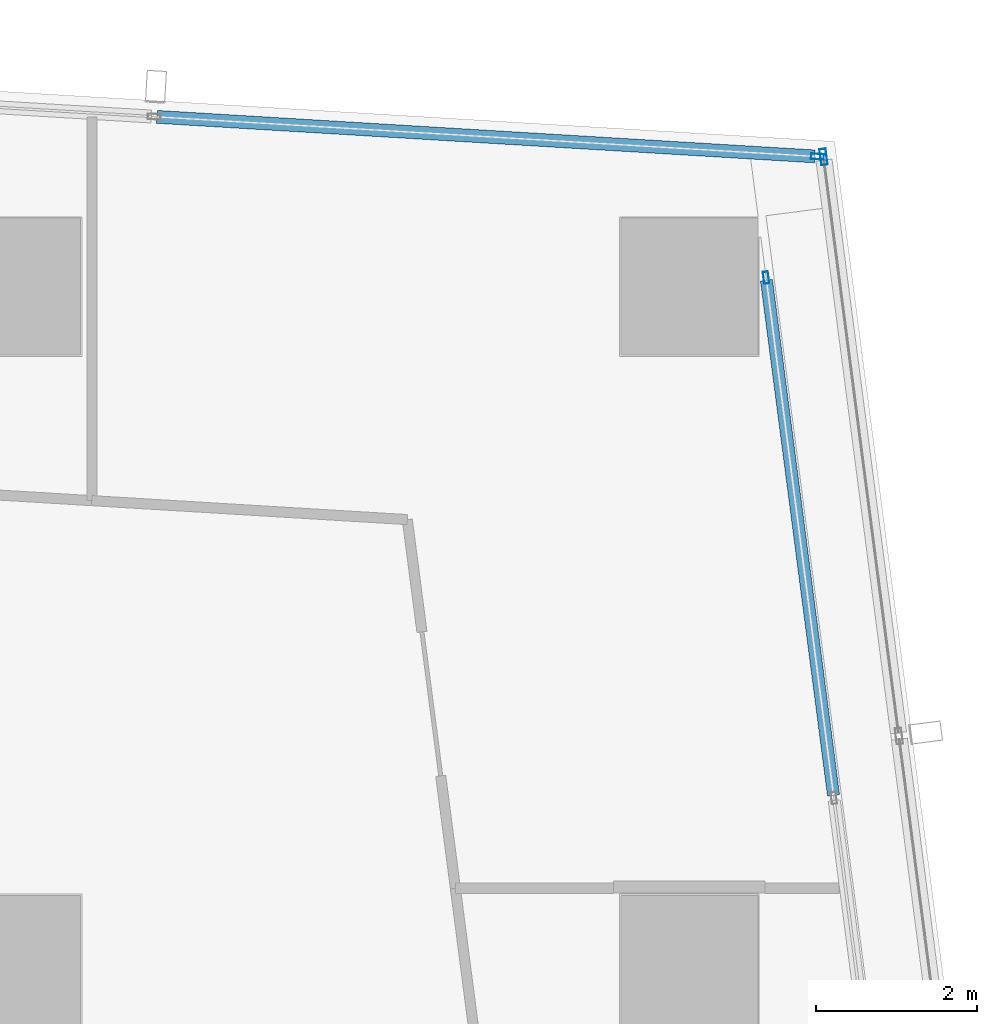
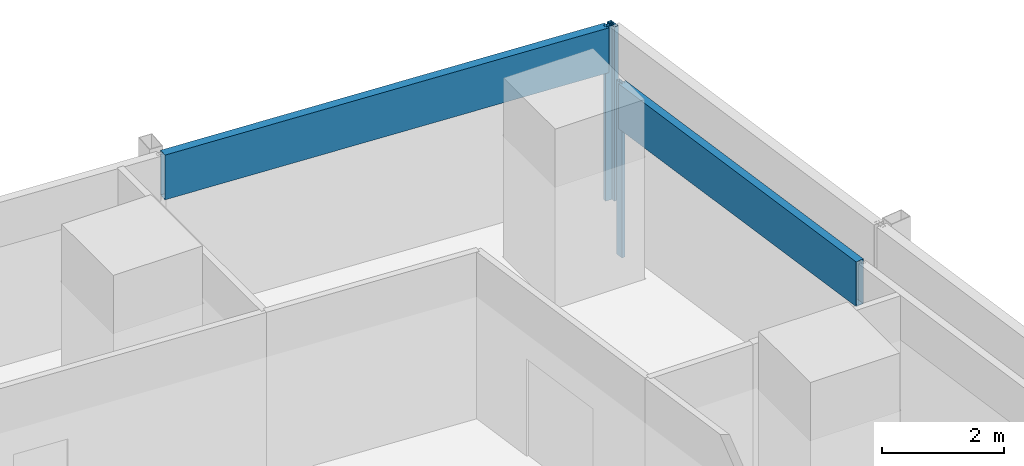
# One storey, part 20 of 40: 5 members, 3 elements without a shape of their own.
"""IFC4 building model written with IfcOpenShell, lengths in metres."""

from ifc_helpers import new_model, si_unit, direction, frame, origin, origin_2d, place, context, subcontext, project, spatial, hollow_rectangle, extrude, material, material_profile, profile_set, type_object, element, aggregate, save


model = new_model("IFC4")

# Units and contexts
model_context = context("Model", 3, precision=1e-05, world=origin(), true_north=direction((0.0, 1.0)))
body_context = subcontext(model_context, "Body", "Model", "MODEL_VIEW")
ifc_project = project(units=[si_unit("LENGTHUNIT", "METRE"), si_unit("AREAUNIT", "SQUARE_METRE"), si_unit("VOLUMEUNIT", "CUBIC_METRE"), si_unit("PLANEANGLEUNIT", "RADIAN"), si_unit("MASSUNIT", "GRAM", prefix="KILO")], contexts=[model_context])

# Site, building, storey
site_placement = place(None, origin())
site = spatial("IfcSite", under=ifc_project, at=site_placement, CompositionType="ELEMENT")
building_placement = place(site_placement, origin())
building = spatial("IfcBuilding", under=site, at=building_placement, Name="Rekha Terrace Tower", CompositionType="ELEMENT")
storey_placement = place(building_placement, frame((0.0, 0.0, 117.800048828125)))
storey = spatial("IfcBuildingStorey", under=building, at=storey_placement, Name="L29", CompositionType="ELEMENT", Elevation=117.800048828125)

# Curtain wall, members
ifc_material_1 = material(Name="Aluminium framing", Category="aluminium")
curtain_wall_type_1 = type_object("IfcCurtainWallType", Name="CW1 double skin inner glazing", PredefinedType="USERDEFINED", material=ifc_material_1)
curtain_wall_1_placement = place(storey_placement, origin())
curtain_wall_1 = element("IfcCurtainWall", 1, at=curtain_wall_1_placement, inside=storey, type_object=curtain_wall_type_1, Name="CW1 double skin inner glazing", ObjectType="DOUBLE SKIN INNER GLAZING", PredefinedType="USERDEFINED")
ifc_material_2 = material(Name="Aluminium mullion section", Category="aluminium")
ifc_material_profile_1 = material_profile(ifc_material_2, hollow_rectangle(XDim=0.06494140625, YDim=0.14990234375, WallThickness=0.00390625, at=origin_2d()), Name="AL RHS 65x150")
ifc_profile_set_1 = profile_set([ifc_material_profile_1], Name="Aluminium mullion section")
member_type_1 = type_object("IfcMemberType", Name="CW1 mullion RHS 65 x 150", PredefinedType="MULLION", material=ifc_profile_set_1)
member_1_placement = place(storey_placement, frame((68.15087890625, 58.910888671875, 0.0), z_axis=(0.0, 0.0, 1.0), x_axis=(-0.991629186237, -0.129118383675, 0.0)))
member_1 = element("IfcMember", 2, at=member_1_placement, type_object=member_type_1, Name="CW1 mullion 3", PredefinedType="MULLION", context=body_context, shape_type="SweptSolid", body=[
    extrude(hollow_rectangle(XDim=0.06494140625, YDim=0.14990234375, WallThickness=0.00390625, at=origin_2d()), origin(), (0.0, 0.0, 1.0), 3.5),
])
ifc_material_3 = material(Name="Insulated aluminium spandrel box", Category="aluminium")
ifc_material_profile_2 = material_profile(ifc_material_3, hollow_rectangle(XDim=0.14990234375, YDim=0.89990234375, WallThickness=0.0029296875, at=origin_2d()), Name="AL SPANDREL BOX 150x900")
ifc_profile_set_2 = profile_set([ifc_material_profile_2], Name="Insulated aluminium spandrel box")
member_type_2 = type_object("IfcMemberType", Name="CW1 spandrel transom 150 x 900", PredefinedType="USERDEFINED", material=ifc_profile_set_2)
member_2_placement = place(storey_placement, frame((68.987060546875, 52.48974609375, 3.050048828125), z_axis=(-0.129102663866, 0.991631232961, 0.0), x_axis=(-0.991631232961, -0.129102663866, 0.0)))
member_2 = element("IfcMember", 3, at=member_2_placement, type_object=member_type_2, Name="CW1 spandrel transom 2", ObjectType="TRANSOM", PredefinedType="USERDEFINED", context=body_context, shape_type="SweptSolid", body=[
    extrude(hollow_rectangle(XDim=0.14990234375, YDim=0.89990234375, WallThickness=0.0029296875, at=origin_2d()), origin(), (0.0, 0.0, 1.0), 6.44287109375),
])
aggregate(curtain_wall_1, [member_1, member_2])

# Curtain wall, member
curtain_wall_type_2 = type_object("IfcCurtainWallType", Name="CW2 double skin outer glazing", PredefinedType="USERDEFINED", material=ifc_material_1)
curtain_wall_2_placement = place(storey_placement, origin())
curtain_wall_2 = element("IfcCurtainWall", 4, at=curtain_wall_2_placement, inside=storey, type_object=curtain_wall_type_2, Name="CW2 double skin outer glazing", ObjectType="DOUBLE SKIN OUTER GLAZING", PredefinedType="USERDEFINED")
ifc_material_profile_3 = material_profile(ifc_material_2, hollow_rectangle(XDim=0.080078125, YDim=0.199951171875, WallThickness=0.00390625, at=origin_2d()), Name="AL RHS 80x200")
ifc_profile_set_3 = profile_set([ifc_material_profile_3], Name="Aluminium mullion section")
member_type_3 = type_object("IfcMemberType", Name="CW2 mullion RHS 80 x 200", PredefinedType="MULLION", material=ifc_profile_set_3)
member_3_placement = place(storey_placement, frame((68.863525390625, 60.408447265625, 0.0), z_axis=(0.0, 0.0, 1.0), x_axis=(-0.991629186244, -0.129118383623, 0.0)))
member_3 = element("IfcMember", 5, at=member_3_placement, type_object=member_type_3, Name="CW2 mullion 3", PredefinedType="MULLION", context=body_context, shape_type="SweptSolid", body=[
    extrude(hollow_rectangle(XDim=0.080078125, YDim=0.199951171875, WallThickness=0.00390625, at=origin_2d()), origin(), (0.0, 0.0, 1.0), 3.5),
])
aggregate(curtain_wall_2, [member_3])

# Curtain wall, members
curtain_wall_type_3 = type_object("IfcCurtainWallType", Name="CW3 north unitised glazing", PredefinedType="USERDEFINED", material=ifc_material_1)
curtain_wall_3_placement = place(storey_placement, origin())
curtain_wall_3 = element("IfcCurtainWall", 6, at=curtain_wall_3_placement, inside=storey, type_object=curtain_wall_type_3, Name="CW3 unitised curtain wall", ObjectType="UNITISED CURTAIN WALL", PredefinedType="USERDEFINED")
ifc_material_profile_4 = material_profile(ifc_material_2, hollow_rectangle(XDim=0.070068359375, YDim=0.159912109375, WallThickness=0.00390625, at=origin_2d()), Name="AL RHS 70x160")
ifc_profile_set_4 = profile_set([ifc_material_profile_4], Name="Aluminium mullion section")
member_type_4 = type_object("IfcMemberType", Name="CW3 mullion RHS 70 x 160", PredefinedType="MULLION", material=ifc_profile_set_4)
member_4_placement = place(storey_placement, frame((68.7880859375, 60.412353515625, 0.0), z_axis=(0.0, 0.0, 1.0), x_axis=(-0.059987926837, -0.998199102701, 0.0)))
member_4 = element("IfcMember", 7, at=member_4_placement, type_object=member_type_4, Name="CW3 mullion 1", PredefinedType="MULLION", context=body_context, shape_type="SweptSolid", body=[
    extrude(hollow_rectangle(XDim=0.070068359375, YDim=0.159912109375, WallThickness=0.00390625, at=origin_2d()), origin(), (0.0, 0.0, 1.0), 3.5),
])
ifc_material_profile_5 = material_profile(ifc_material_3, hollow_rectangle(XDim=0.159912109375, YDim=0.89990234375, WallThickness=0.0029296875, at=origin_2d()), Name="AL SPANDREL BOX 160x900")
ifc_profile_set_5 = profile_set([ifc_material_profile_5], Name="Insulated aluminium spandrel box")
member_type_5 = type_object("IfcMemberType", Name="CW3 spandrel transom 160 x 900", PredefinedType="USERDEFINED", material=ifc_profile_set_5)
member_5_placement = place(storey_placement, frame((68.753173828125, 60.41455078125, 3.050048828125), z_axis=(-0.998198874769, 0.05999171951, 0.0), x_axis=(-0.05999171951, -0.998198874769, 0.0)))
member_5 = element("IfcMember", 8, at=member_5_placement, type_object=member_type_5, Name="CW3 spandrel transom 1", ObjectType="TRANSOM", PredefinedType="USERDEFINED", context=body_context, shape_type="SweptSolid", body=[
    extrude(hollow_rectangle(XDim=0.159912109375, YDim=0.89990234375, WallThickness=0.0029296875, at=origin_2d()), origin(), (0.0, 0.0, 1.0), 8.171630859375),
])
aggregate(curtain_wall_3, [member_4, member_5])

save(model, "model.ifc")
